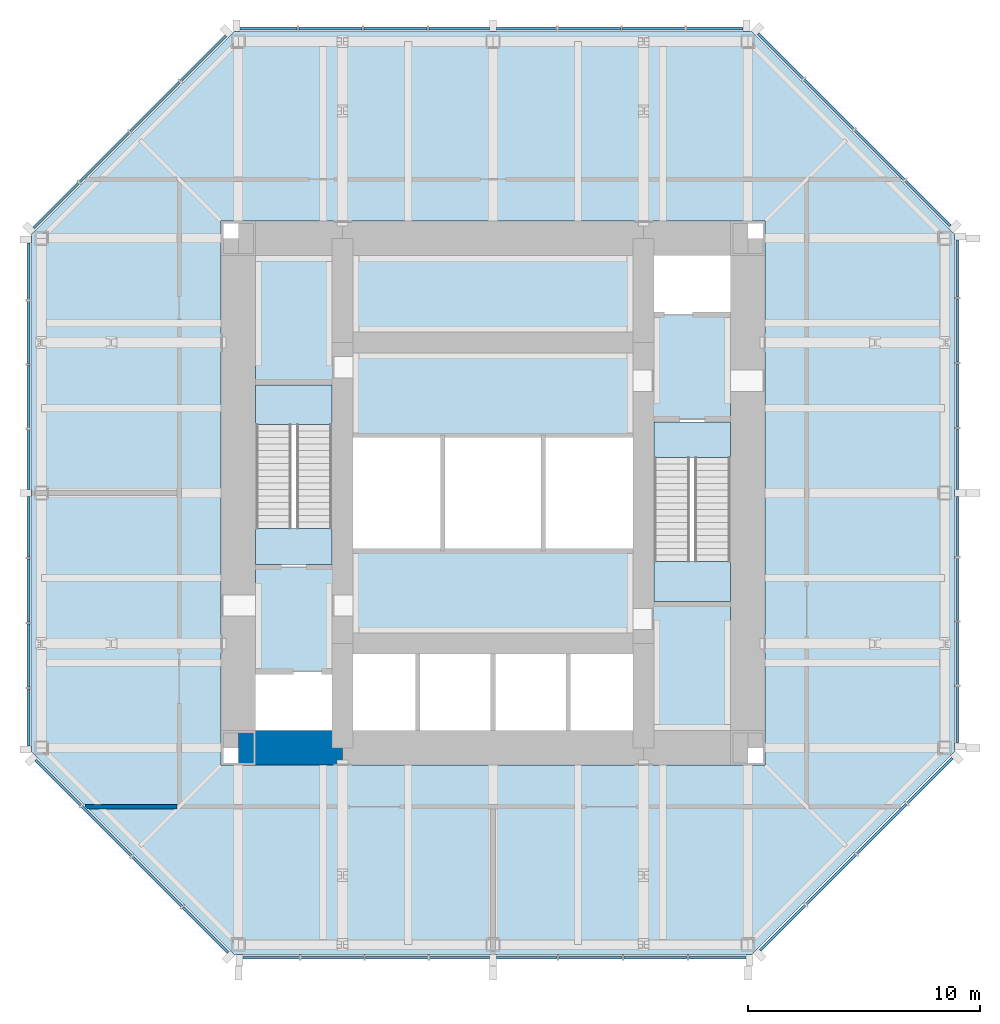
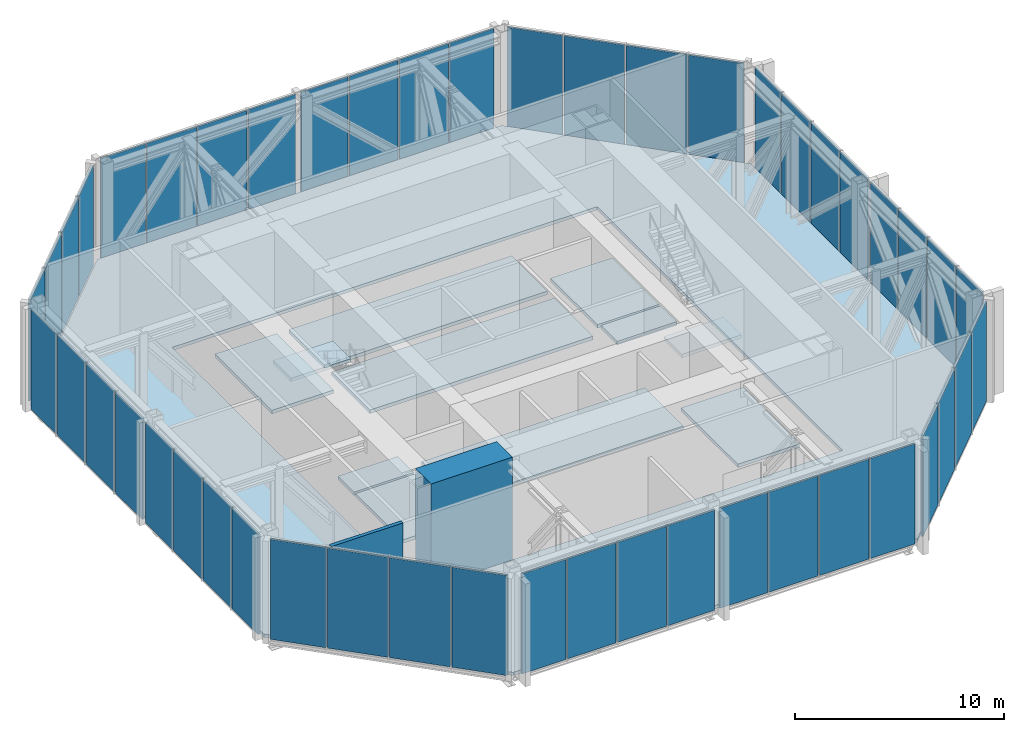
# One storey, part 8 of 11: 48 plates, 12 slabs, 2 walls, 10 elements without a shape of their own.
"""IFC4 building model written with IfcOpenShell, lengths in metres."""

from ifc_helpers import new_model, si_unit, direction, frame, frame_2d, origin, origin_2d, place, context, subcontext, project, spatial, polyline, rectangle, outline, extrude, material, layer, layer_set, type_object, element, aggregate, save


model = new_model("IFC4")

# Units and contexts
model_context = context("Model", 3, precision=1e-05, world=origin(), true_north=direction((0.0, 1.0)))
body_context = subcontext(model_context, "Body", "Model", "MODEL_VIEW")
ifc_project = project(units=[si_unit("LENGTHUNIT", "METRE"), si_unit("AREAUNIT", "SQUARE_METRE"), si_unit("VOLUMEUNIT", "CUBIC_METRE"), si_unit("PLANEANGLEUNIT", "RADIAN"), si_unit("MASSUNIT", "GRAM", prefix="KILO")], contexts=[model_context])

# Site, building, storey
site_placement = place(None, origin())
site = spatial("IfcSite", under=ifc_project, at=site_placement, CompositionType="ELEMENT")
building_placement = place(site_placement, origin())
building = spatial("IfcBuilding", under=site, at=building_placement, Name="Trevanion Tower", CompositionType="ELEMENT")
storey_placement = place(building_placement, frame((0.0, 0.0, 257.199951171875)))
storey = spatial("IfcBuildingStorey", under=building, at=storey_placement, Name="L63", CompositionType="ELEMENT", Elevation=257.199951171875)

# Curtain wall, plates
ifc_material_1 = material(Name="Aluminium louvres", Category="aluminium")
curtain_wall_type = type_object("IfcCurtainWallType", Name="CWL curtain wall", PredefinedType="USERDEFINED", material=ifc_material_1)
curtain_wall_1_placement = place(storey_placement, origin())
curtain_wall_1 = element("IfcCurtainWall", 1, at=curtain_wall_1_placement, inside=storey, type_object=curtain_wall_type, Name="CWL L63 0", ObjectType="LOUVRE SCREEN", PredefinedType="USERDEFINED")
ifc_material_2 = material(Name="Aluminium louvres", Category="aluminium")
ifc_layer_1 = layer(ifc_material_2, 0.10009765625)
ifc_layer_set_1 = layer_set([ifc_layer_1], Name="CWL louvre panel")
plate_type = type_object("IfcPlateType", Name="CWL louvre panel", PredefinedType="CURTAIN_PANEL", material=ifc_layer_set_1)
plate_1_placement = place(storey_placement, frame((20.050048828125, -9.579345703125, -0.114990234375), z_axis=(0.0, 0.0, 1.0), x_axis=(0.0, 1.0, 0.0)))
plate_1 = element("IfcPlate", 2, at=plate_1_placement, type_object=plate_type, Name="CWL panel 1.1", PredefinedType="CURTAIN_PANEL", context=body_context, shape_type="SweptSolid", body=[
    extrude(rectangle(XDim=2.43701171875, YDim=0.10009765625, at=origin_2d()), origin(), (0.0, 0.0, 1.0), 5.85009765625),
])
plate_2_placement = place(storey_placement, frame((20.050048828125, -6.93603515625, -0.114990234375), z_axis=(0.0, 0.0, 1.0), x_axis=(0.0, 1.0, 0.0)))
plate_2 = element("IfcPlate", 3, at=plate_2_placement, type_object=plate_type, Name="CWL panel 2.1", PredefinedType="CURTAIN_PANEL", context=body_context, shape_type="SweptSolid", body=[
    extrude(rectangle(XDim=2.699462890625, YDim=0.10009765625, at=origin_2d()), origin(), (0.0, 0.0, 1.0), 5.85009765625),
])
plate_3_placement = place(storey_placement, frame((20.050048828125, -4.16162109375, -0.114990234375), z_axis=(0.0, 0.0, 1.0), x_axis=(0.0, 1.0, 0.0)))
plate_3 = element("IfcPlate", 4, at=plate_3_placement, type_object=plate_type, Name="CWL panel 3.1", PredefinedType="CURTAIN_PANEL", context=body_context, shape_type="SweptSolid", body=[
    extrude(rectangle(XDim=2.699462890625, YDim=0.10009765625, at=origin_2d()), origin(), (0.0, 0.0, 1.0), 5.85009765625),
])
plate_4_placement = place(storey_placement, frame((20.050048828125, -1.443603515625, -0.114990234375), z_axis=(0.0, 0.0, 1.0), x_axis=(0.0, 1.0, 0.0)))
plate_4 = element("IfcPlate", 5, at=plate_4_placement, type_object=plate_type, Name="CWL panel 4.1", PredefinedType="CURTAIN_PANEL", context=body_context, shape_type="SweptSolid", body=[
    extrude(rectangle(XDim=2.5869140625, YDim=0.10009765625, at=origin_2d()), origin(), (0.0, 0.0, 1.0), 5.85009765625),
])
plate_5_placement = place(storey_placement, frame((20.050048828125, 1.459716796875, -0.114990234375), z_axis=(0.0, 0.0, 1.0), x_axis=(0.0, 1.0, 0.0)))
plate_5 = element("IfcPlate", 6, at=plate_5_placement, type_object=plate_type, Name="CWL panel 5.1", PredefinedType="CURTAIN_PANEL", context=body_context, shape_type="SweptSolid", body=[
    extrude(rectangle(XDim=2.619384765625, YDim=0.10009765625, at=origin_2d()), origin(), (0.0, 0.0, 1.0), 5.85009765625),
])
plate_6_placement = place(storey_placement, frame((20.050048828125, 4.21044921875, -0.114990234375), z_axis=(0.0, 0.0, 1.0), x_axis=(0.0, 1.0, 0.0)))
plate_6 = element("IfcPlate", 7, at=plate_6_placement, type_object=plate_type, Name="CWL panel 6.1", PredefinedType="CURTAIN_PANEL", context=body_context, shape_type="SweptSolid", body=[
    extrude(rectangle(XDim=2.73193359375, YDim=0.10009765625, at=origin_2d()), origin(), (0.0, 0.0, 1.0), 5.85009765625),
])
plate_7_placement = place(storey_placement, frame((20.050048828125, 7.017333984375, -0.114990234375), z_axis=(0.0, 0.0, 1.0), x_axis=(0.0, 1.0, 0.0)))
plate_7 = element("IfcPlate", 8, at=plate_7_placement, type_object=plate_type, Name="CWL panel 7.1", PredefinedType="CURTAIN_PANEL", context=body_context, shape_type="SweptSolid", body=[
    extrude(rectangle(XDim=2.73193359375, YDim=0.10009765625, at=origin_2d()), origin(), (0.0, 0.0, 1.0), 5.85009765625),
])
plate_8_placement = place(storey_placement, frame((20.050048828125, 9.693115234375, -0.114990234375), z_axis=(0.0, 0.0, 1.0), x_axis=(0.0, 1.0, 0.0)))
plate_8 = element("IfcPlate", 9, at=plate_8_placement, type_object=plate_type, Name="CWL panel 8.1", PredefinedType="CURTAIN_PANEL", context=body_context, shape_type="SweptSolid", body=[
    extrude(rectangle(XDim=2.469482421875, YDim=0.10009765625, at=origin_2d()), origin(), (0.0, 0.0, 1.0), 5.85009765625),
])
aggregate(curtain_wall_1, [plate_1, plate_2, plate_3, plate_4, plate_5, plate_6, plate_7, plate_8])

curtain_wall_2_placement = place(storey_placement, origin())
curtain_wall_2 = element("IfcCurtainWall", 10, at=curtain_wall_2_placement, inside=storey, type_object=curtain_wall_type, Name="CWL L63 1", ObjectType="LOUVRE SCREEN", PredefinedType="USERDEFINED")
plate_9_placement = place(storey_placement, frame((18.77392578125, 12.50390625, -0.114990234375), z_axis=(0.0, 0.0, 1.0), x_axis=(-0.707106781187, 0.707106781187, 0.0)))
plate_9 = element("IfcPlate", 11, at=plate_9_placement, type_object=plate_type, Name="CWL panel 1.1", PredefinedType="CURTAIN_PANEL", context=body_context, shape_type="SweptSolid", body=[
    extrude(rectangle(XDim=2.7490234375, YDim=0.10009765625, at=origin_2d()), origin(), (0.0, 0.0, 1.0), 5.85009765625),
])
plate_10_placement = place(storey_placement, frame((16.68408203125, 14.593505859375, -0.114990234375), z_axis=(0.0, 0.0, 1.0), x_axis=(-0.707106781187, 0.707106781187, 0.0)))
plate_10 = element("IfcPlate", 12, at=plate_10_placement, type_object=plate_type, Name="CWL panel 2.1", PredefinedType="CURTAIN_PANEL", context=body_context, shape_type="SweptSolid", body=[
    extrude(rectangle(XDim=3.01171875, YDim=0.10009765625, at=origin_2d()), origin(), (0.0, 0.0, 1.0), 5.85009765625),
])
plate_11_placement = place(storey_placement, frame((14.501708984375, 16.776123046875, -0.114990234375), z_axis=(0.0, 0.0, 1.0), x_axis=(-0.707106781187, 0.707106781187, 0.0)))
plate_11 = element("IfcPlate", 13, at=plate_11_placement, type_object=plate_type, Name="CWL panel 3.1", PredefinedType="CURTAIN_PANEL", context=body_context, shape_type="SweptSolid", body=[
    extrude(rectangle(XDim=3.01171875, YDim=0.10009765625, at=origin_2d()), origin(), (0.0, 0.0, 1.0), 5.85009765625),
])
plate_12_placement = place(storey_placement, frame((12.411865234375, 18.865966796875, -0.114990234375), z_axis=(0.0, 0.0, 1.0), x_axis=(-0.707106781187, 0.707106781187, 0.0)))
plate_12 = element("IfcPlate", 14, at=plate_12_placement, type_object=plate_type, Name="CWL panel 4.1", PredefinedType="CURTAIN_PANEL", context=body_context, shape_type="SweptSolid", body=[
    extrude(rectangle(XDim=2.7490234375, YDim=0.10009765625, at=origin_2d()), origin(), (0.0, 0.0, 1.0), 5.85009765625),
])
aggregate(curtain_wall_2, [plate_9, plate_10, plate_11, plate_12])

curtain_wall_3_placement = place(storey_placement, origin())
curtain_wall_3 = element("IfcCurtainWall", 15, at=curtain_wall_3_placement, inside=storey, type_object=curtain_wall_type, Name="CWL L63 2", ObjectType="LOUVRE SCREEN", PredefinedType="USERDEFINED")
plate_13_placement = place(storey_placement, frame((9.579345703125, 20.050048828125, -0.114990234375), z_axis=(0.0, 0.0, 1.0), x_axis=(-1.0, 0.0, 0.0)))
plate_13 = element("IfcPlate", 16, at=plate_13_placement, type_object=plate_type, Name="CWL panel 1.1", PredefinedType="CURTAIN_PANEL", context=body_context, shape_type="SweptSolid", body=[
    extrude(rectangle(XDim=2.43701171875, YDim=0.10009765625, at=origin_2d()), origin(), (0.0, 0.0, 1.0), 5.85009765625),
])
plate_14_placement = place(storey_placement, frame((6.93603515625, 20.050048828125, -0.114990234375), z_axis=(0.0, 0.0, 1.0), x_axis=(-1.0, 0.0, 0.0)))
plate_14 = element("IfcPlate", 17, at=plate_14_placement, type_object=plate_type, Name="CWL panel 2.1", PredefinedType="CURTAIN_PANEL", context=body_context, shape_type="SweptSolid", body=[
    extrude(rectangle(XDim=2.699462890625, YDim=0.10009765625, at=origin_2d()), origin(), (0.0, 0.0, 1.0), 5.85009765625),
])
plate_15_placement = place(storey_placement, frame((4.16162109375, 20.050048828125, -0.114990234375), z_axis=(0.0, 0.0, 1.0), x_axis=(-1.0, 0.0, 0.0)))
plate_15 = element("IfcPlate", 18, at=plate_15_placement, type_object=plate_type, Name="CWL panel 3.1", PredefinedType="CURTAIN_PANEL", context=body_context, shape_type="SweptSolid", body=[
    extrude(rectangle(XDim=2.699462890625, YDim=0.10009765625, at=origin_2d()), origin(), (0.0, 0.0, 1.0), 5.85009765625),
])
plate_16_placement = place(storey_placement, frame((1.443603515625, 20.050048828125, -0.114990234375), z_axis=(0.0, 0.0, 1.0), x_axis=(-1.0, 0.0, 0.0)))
plate_16 = element("IfcPlate", 19, at=plate_16_placement, type_object=plate_type, Name="CWL panel 4.1", PredefinedType="CURTAIN_PANEL", context=body_context, shape_type="SweptSolid", body=[
    extrude(rectangle(XDim=2.5869140625, YDim=0.10009765625, at=origin_2d()), origin(), (0.0, 0.0, 1.0), 5.85009765625),
])
plate_17_placement = place(storey_placement, frame((-1.459716796875, 20.050048828125, -0.114990234375), z_axis=(0.0, 0.0, 1.0), x_axis=(-1.0, 0.0, 0.0)))
plate_17 = element("IfcPlate", 20, at=plate_17_placement, type_object=plate_type, Name="CWL panel 5.1", PredefinedType="CURTAIN_PANEL", context=body_context, shape_type="SweptSolid", body=[
    extrude(rectangle(XDim=2.619384765625, YDim=0.10009765625, at=origin_2d()), origin(), (0.0, 0.0, 1.0), 5.85009765625),
])
plate_18_placement = place(storey_placement, frame((-4.21044921875, 20.050048828125, -0.114990234375), z_axis=(0.0, 0.0, 1.0), x_axis=(-1.0, 0.0, 0.0)))
plate_18 = element("IfcPlate", 21, at=plate_18_placement, type_object=plate_type, Name="CWL panel 6.1", PredefinedType="CURTAIN_PANEL", context=body_context, shape_type="SweptSolid", body=[
    extrude(rectangle(XDim=2.73193359375, YDim=0.10009765625, at=origin_2d()), origin(), (0.0, 0.0, 1.0), 5.85009765625),
])
plate_19_placement = place(storey_placement, frame((-7.017333984375, 20.050048828125, -0.114990234375), z_axis=(0.0, 0.0, 1.0), x_axis=(-1.0, 0.0, 0.0)))
plate_19 = element("IfcPlate", 22, at=plate_19_placement, type_object=plate_type, Name="CWL panel 7.1", PredefinedType="CURTAIN_PANEL", context=body_context, shape_type="SweptSolid", body=[
    extrude(rectangle(XDim=2.73193359375, YDim=0.10009765625, at=origin_2d()), origin(), (0.0, 0.0, 1.0), 5.85009765625),
])
plate_20_placement = place(storey_placement, frame((-9.693115234375, 20.050048828125, -0.114990234375), z_axis=(0.0, 0.0, 1.0), x_axis=(-1.0, 0.0, 0.0)))
plate_20 = element("IfcPlate", 23, at=plate_20_placement, type_object=plate_type, Name="CWL panel 8.1", PredefinedType="CURTAIN_PANEL", context=body_context, shape_type="SweptSolid", body=[
    extrude(rectangle(XDim=2.469482421875, YDim=0.10009765625, at=origin_2d()), origin(), (0.0, 0.0, 1.0), 5.85009765625),
])
aggregate(curtain_wall_3, [plate_13, plate_14, plate_15, plate_16, plate_17, plate_18, plate_19, plate_20])

curtain_wall_4_placement = place(storey_placement, origin())
curtain_wall_4 = element("IfcCurtainWall", 24, at=curtain_wall_4_placement, inside=storey, type_object=curtain_wall_type, Name="CWL L63 3", ObjectType="LOUVRE SCREEN", PredefinedType="USERDEFINED")
plate_21_placement = place(storey_placement, frame((-12.50390625, 18.77392578125, -0.114990234375), z_axis=(0.0, 0.0, 1.0), x_axis=(-0.707106781187, -0.707106781187, 0.0)))
plate_21 = element("IfcPlate", 25, at=plate_21_placement, type_object=plate_type, Name="CWL panel 1.1", PredefinedType="CURTAIN_PANEL", context=body_context, shape_type="SweptSolid", body=[
    extrude(rectangle(XDim=2.7490234375, YDim=0.10009765625, at=origin_2d()), origin(), (0.0, 0.0, 1.0), 5.85009765625),
])
plate_22_placement = place(storey_placement, frame((-14.593505859375, 16.68408203125, -0.114990234375), z_axis=(0.0, 0.0, 1.0), x_axis=(-0.707106781187, -0.707106781187, 0.0)))
plate_22 = element("IfcPlate", 26, at=plate_22_placement, type_object=plate_type, Name="CWL panel 2.1", PredefinedType="CURTAIN_PANEL", context=body_context, shape_type="SweptSolid", body=[
    extrude(rectangle(XDim=3.01171875, YDim=0.10009765625, at=origin_2d()), origin(), (0.0, 0.0, 1.0), 5.85009765625),
])
plate_23_placement = place(storey_placement, frame((-16.776123046875, 14.501708984375, -0.114990234375), z_axis=(0.0, 0.0, 1.0), x_axis=(-0.707106781187, -0.707106781187, 0.0)))
plate_23 = element("IfcPlate", 27, at=plate_23_placement, type_object=plate_type, Name="CWL panel 3.1", PredefinedType="CURTAIN_PANEL", context=body_context, shape_type="SweptSolid", body=[
    extrude(rectangle(XDim=3.01171875, YDim=0.10009765625, at=origin_2d()), origin(), (0.0, 0.0, 1.0), 5.85009765625),
])
plate_24_placement = place(storey_placement, frame((-18.865966796875, 12.411865234375, -0.114990234375), z_axis=(0.0, 0.0, 1.0), x_axis=(-0.707106781187, -0.707106781187, 0.0)))
plate_24 = element("IfcPlate", 28, at=plate_24_placement, type_object=plate_type, Name="CWL panel 4.1", PredefinedType="CURTAIN_PANEL", context=body_context, shape_type="SweptSolid", body=[
    extrude(rectangle(XDim=2.7490234375, YDim=0.10009765625, at=origin_2d()), origin(), (0.0, 0.0, 1.0), 5.85009765625),
])
aggregate(curtain_wall_4, [plate_21, plate_22, plate_23, plate_24])

curtain_wall_5_placement = place(storey_placement, origin())
curtain_wall_5 = element("IfcCurtainWall", 29, at=curtain_wall_5_placement, inside=storey, type_object=curtain_wall_type, Name="CWL L63 4", ObjectType="LOUVRE SCREEN", PredefinedType="USERDEFINED")
plate_25_placement = place(storey_placement, frame((-20.050048828125, 9.579345703125, -0.114990234375), z_axis=(0.0, 0.0, 1.0), x_axis=(0.0, -1.0, 0.0)))
plate_25 = element("IfcPlate", 30, at=plate_25_placement, type_object=plate_type, Name="CWL panel 1.1", PredefinedType="CURTAIN_PANEL", context=body_context, shape_type="SweptSolid", body=[
    extrude(rectangle(XDim=2.43701171875, YDim=0.10009765625, at=origin_2d()), origin(), (0.0, 0.0, 1.0), 5.85009765625),
])
plate_26_placement = place(storey_placement, frame((-20.050048828125, 6.93603515625, -0.114990234375), z_axis=(0.0, 0.0, 1.0), x_axis=(0.0, -1.0, 0.0)))
plate_26 = element("IfcPlate", 31, at=plate_26_placement, type_object=plate_type, Name="CWL panel 2.1", PredefinedType="CURTAIN_PANEL", context=body_context, shape_type="SweptSolid", body=[
    extrude(rectangle(XDim=2.699462890625, YDim=0.10009765625, at=origin_2d()), origin(), (0.0, 0.0, 1.0), 5.85009765625),
])
plate_27_placement = place(storey_placement, frame((-20.050048828125, 4.16162109375, -0.114990234375), z_axis=(0.0, 0.0, 1.0), x_axis=(0.0, -1.0, 0.0)))
plate_27 = element("IfcPlate", 32, at=plate_27_placement, type_object=plate_type, Name="CWL panel 3.1", PredefinedType="CURTAIN_PANEL", context=body_context, shape_type="SweptSolid", body=[
    extrude(rectangle(XDim=2.699462890625, YDim=0.10009765625, at=origin_2d()), origin(), (0.0, 0.0, 1.0), 5.85009765625),
])
plate_28_placement = place(storey_placement, frame((-20.050048828125, 1.443603515625, -0.114990234375), z_axis=(0.0, 0.0, 1.0), x_axis=(0.0, -1.0, 0.0)))
plate_28 = element("IfcPlate", 33, at=plate_28_placement, type_object=plate_type, Name="CWL panel 4.1", PredefinedType="CURTAIN_PANEL", context=body_context, shape_type="SweptSolid", body=[
    extrude(rectangle(XDim=2.5869140625, YDim=0.10009765625, at=origin_2d()), origin(), (0.0, 0.0, 1.0), 5.85009765625),
])
plate_29_placement = place(storey_placement, frame((-20.050048828125, -1.459716796875, -0.114990234375), z_axis=(0.0, 0.0, 1.0), x_axis=(0.0, -1.0, 0.0)))
plate_29 = element("IfcPlate", 34, at=plate_29_placement, type_object=plate_type, Name="CWL panel 5.1", PredefinedType="CURTAIN_PANEL", context=body_context, shape_type="SweptSolid", body=[
    extrude(rectangle(XDim=2.619384765625, YDim=0.10009765625, at=origin_2d()), origin(), (0.0, 0.0, 1.0), 5.85009765625),
])
plate_30_placement = place(storey_placement, frame((-20.050048828125, -4.21044921875, -0.114990234375), z_axis=(0.0, 0.0, 1.0), x_axis=(0.0, -1.0, 0.0)))
plate_30 = element("IfcPlate", 35, at=plate_30_placement, type_object=plate_type, Name="CWL panel 6.1", PredefinedType="CURTAIN_PANEL", context=body_context, shape_type="SweptSolid", body=[
    extrude(rectangle(XDim=2.73193359375, YDim=0.10009765625, at=origin_2d()), origin(), (0.0, 0.0, 1.0), 5.85009765625),
])
plate_31_placement = place(storey_placement, frame((-20.050048828125, -7.017333984375, -0.114990234375), z_axis=(0.0, 0.0, 1.0), x_axis=(0.0, -1.0, 0.0)))
plate_31 = element("IfcPlate", 36, at=plate_31_placement, type_object=plate_type, Name="CWL panel 7.1", PredefinedType="CURTAIN_PANEL", context=body_context, shape_type="SweptSolid", body=[
    extrude(rectangle(XDim=2.73193359375, YDim=0.10009765625, at=origin_2d()), origin(), (0.0, 0.0, 1.0), 5.85009765625),
])
plate_32_placement = place(storey_placement, frame((-20.050048828125, -9.693115234375, -0.114990234375), z_axis=(0.0, 0.0, 1.0), x_axis=(0.0, -1.0, 0.0)))
plate_32 = element("IfcPlate", 37, at=plate_32_placement, type_object=plate_type, Name="CWL panel 8.1", PredefinedType="CURTAIN_PANEL", context=body_context, shape_type="SweptSolid", body=[
    extrude(rectangle(XDim=2.469482421875, YDim=0.10009765625, at=origin_2d()), origin(), (0.0, 0.0, 1.0), 5.85009765625),
])
aggregate(curtain_wall_5, [plate_25, plate_26, plate_27, plate_28, plate_29, plate_30, plate_31, plate_32])

curtain_wall_6_placement = place(storey_placement, origin())
curtain_wall_6 = element("IfcCurtainWall", 38, at=curtain_wall_6_placement, inside=storey, type_object=curtain_wall_type, Name="CWL L63 5", ObjectType="LOUVRE SCREEN", PredefinedType="USERDEFINED")
plate_33_placement = place(storey_placement, frame((-18.77392578125, -12.50390625, -0.114990234375), z_axis=(0.0, 0.0, 1.0), x_axis=(0.707106781187, -0.707106781187, 0.0)))
plate_33 = element("IfcPlate", 39, at=plate_33_placement, type_object=plate_type, Name="CWL panel 1.1", PredefinedType="CURTAIN_PANEL", context=body_context, shape_type="SweptSolid", body=[
    extrude(rectangle(XDim=2.7490234375, YDim=0.10009765625, at=origin_2d()), origin(), (0.0, 0.0, 1.0), 5.85009765625),
])
plate_34_placement = place(storey_placement, frame((-16.68408203125, -14.593505859375, -0.114990234375), z_axis=(0.0, 0.0, 1.0), x_axis=(0.707106781187, -0.707106781187, 0.0)))
plate_34 = element("IfcPlate", 40, at=plate_34_placement, type_object=plate_type, Name="CWL panel 2.1", PredefinedType="CURTAIN_PANEL", context=body_context, shape_type="SweptSolid", body=[
    extrude(rectangle(XDim=3.01171875, YDim=0.10009765625, at=origin_2d()), origin(), (0.0, 0.0, 1.0), 5.85009765625),
])
plate_35_placement = place(storey_placement, frame((-14.501708984375, -16.776123046875, -0.114990234375), z_axis=(0.0, 0.0, 1.0), x_axis=(0.707106781187, -0.707106781187, 0.0)))
plate_35 = element("IfcPlate", 41, at=plate_35_placement, type_object=plate_type, Name="CWL panel 3.1", PredefinedType="CURTAIN_PANEL", context=body_context, shape_type="SweptSolid", body=[
    extrude(rectangle(XDim=3.01171875, YDim=0.10009765625, at=origin_2d()), origin(), (0.0, 0.0, 1.0), 5.85009765625),
])
plate_36_placement = place(storey_placement, frame((-12.411865234375, -18.865966796875, -0.114990234375), z_axis=(0.0, 0.0, 1.0), x_axis=(0.707106781187, -0.707106781187, 0.0)))
plate_36 = element("IfcPlate", 42, at=plate_36_placement, type_object=plate_type, Name="CWL panel 4.1", PredefinedType="CURTAIN_PANEL", context=body_context, shape_type="SweptSolid", body=[
    extrude(rectangle(XDim=2.7490234375, YDim=0.10009765625, at=origin_2d()), origin(), (0.0, 0.0, 1.0), 5.85009765625),
])
aggregate(curtain_wall_6, [plate_33, plate_34, plate_35, plate_36])

curtain_wall_7_placement = place(storey_placement, origin())
curtain_wall_7 = element("IfcCurtainWall", 43, at=curtain_wall_7_placement, inside=storey, type_object=curtain_wall_type, Name="CWL L63 6", ObjectType="LOUVRE SCREEN", PredefinedType="USERDEFINED")
plate_37_placement = place(storey_placement, frame((-9.579345703125, -20.050048828125, -0.114990234375), z_axis=(0.0, 0.0, 1.0), x_axis=(1.0, 0.0, 0.0)))
plate_37 = element("IfcPlate", 44, at=plate_37_placement, type_object=plate_type, Name="CWL panel 1.1", PredefinedType="CURTAIN_PANEL", context=body_context, shape_type="SweptSolid", body=[
    extrude(rectangle(XDim=2.43701171875, YDim=0.10009765625, at=origin_2d()), origin(), (0.0, 0.0, 1.0), 5.85009765625),
])
plate_38_placement = place(storey_placement, frame((-6.93603515625, -20.050048828125, -0.114990234375), z_axis=(0.0, 0.0, 1.0), x_axis=(1.0, 0.0, 0.0)))
plate_38 = element("IfcPlate", 45, at=plate_38_placement, type_object=plate_type, Name="CWL panel 2.1", PredefinedType="CURTAIN_PANEL", context=body_context, shape_type="SweptSolid", body=[
    extrude(rectangle(XDim=2.699462890625, YDim=0.10009765625, at=origin_2d()), origin(), (0.0, 0.0, 1.0), 5.85009765625),
])
plate_39_placement = place(storey_placement, frame((-4.16162109375, -20.050048828125, -0.114990234375), z_axis=(0.0, 0.0, 1.0), x_axis=(1.0, 0.0, 0.0)))
plate_39 = element("IfcPlate", 46, at=plate_39_placement, type_object=plate_type, Name="CWL panel 3.1", PredefinedType="CURTAIN_PANEL", context=body_context, shape_type="SweptSolid", body=[
    extrude(rectangle(XDim=2.699462890625, YDim=0.10009765625, at=origin_2d()), origin(), (0.0, 0.0, 1.0), 5.85009765625),
])
plate_40_placement = place(storey_placement, frame((-1.443603515625, -20.050048828125, -0.114990234375), z_axis=(0.0, 0.0, 1.0), x_axis=(1.0, 0.0, 0.0)))
plate_40 = element("IfcPlate", 47, at=plate_40_placement, type_object=plate_type, Name="CWL panel 4.1", PredefinedType="CURTAIN_PANEL", context=body_context, shape_type="SweptSolid", body=[
    extrude(rectangle(XDim=2.5869140625, YDim=0.10009765625, at=origin_2d()), origin(), (0.0, 0.0, 1.0), 5.85009765625),
])
plate_41_placement = place(storey_placement, frame((1.459716796875, -20.050048828125, -0.114990234375), z_axis=(0.0, 0.0, 1.0), x_axis=(1.0, 0.0, 0.0)))
plate_41 = element("IfcPlate", 48, at=plate_41_placement, type_object=plate_type, Name="CWL panel 5.1", PredefinedType="CURTAIN_PANEL", context=body_context, shape_type="SweptSolid", body=[
    extrude(rectangle(XDim=2.619384765625, YDim=0.10009765625, at=origin_2d()), origin(), (0.0, 0.0, 1.0), 5.85009765625),
])
plate_42_placement = place(storey_placement, frame((4.21044921875, -20.050048828125, -0.114990234375), z_axis=(0.0, 0.0, 1.0), x_axis=(1.0, 0.0, 0.0)))
plate_42 = element("IfcPlate", 49, at=plate_42_placement, type_object=plate_type, Name="CWL panel 6.1", PredefinedType="CURTAIN_PANEL", context=body_context, shape_type="SweptSolid", body=[
    extrude(rectangle(XDim=2.73193359375, YDim=0.10009765625, at=origin_2d()), origin(), (0.0, 0.0, 1.0), 5.85009765625),
])
plate_43_placement = place(storey_placement, frame((7.017333984375, -20.050048828125, -0.114990234375), z_axis=(0.0, 0.0, 1.0), x_axis=(1.0, 0.0, 0.0)))
plate_43 = element("IfcPlate", 50, at=plate_43_placement, type_object=plate_type, Name="CWL panel 7.1", PredefinedType="CURTAIN_PANEL", context=body_context, shape_type="SweptSolid", body=[
    extrude(rectangle(XDim=2.73193359375, YDim=0.10009765625, at=origin_2d()), origin(), (0.0, 0.0, 1.0), 5.85009765625),
])
plate_44_placement = place(storey_placement, frame((9.693115234375, -20.050048828125, -0.114990234375), z_axis=(0.0, 0.0, 1.0), x_axis=(1.0, 0.0, 0.0)))
plate_44 = element("IfcPlate", 51, at=plate_44_placement, type_object=plate_type, Name="CWL panel 8.1", PredefinedType="CURTAIN_PANEL", context=body_context, shape_type="SweptSolid", body=[
    extrude(rectangle(XDim=2.469482421875, YDim=0.10009765625, at=origin_2d()), origin(), (0.0, 0.0, 1.0), 5.85009765625),
])
aggregate(curtain_wall_7, [plate_37, plate_38, plate_39, plate_40, plate_41, plate_42, plate_43, plate_44])

curtain_wall_8_placement = place(storey_placement, origin())
curtain_wall_8 = element("IfcCurtainWall", 52, at=curtain_wall_8_placement, inside=storey, type_object=curtain_wall_type, Name="CWL L63 7", ObjectType="LOUVRE SCREEN", PredefinedType="USERDEFINED")
plate_45_placement = place(storey_placement, frame((12.50390625, -18.77392578125, -0.114990234375), z_axis=(0.0, 0.0, 1.0), x_axis=(0.707106781187, 0.707106781187, 0.0)))
plate_45 = element("IfcPlate", 53, at=plate_45_placement, type_object=plate_type, Name="CWL panel 1.1", PredefinedType="CURTAIN_PANEL", context=body_context, shape_type="SweptSolid", body=[
    extrude(rectangle(XDim=2.7490234375, YDim=0.10009765625, at=origin_2d()), origin(), (0.0, 0.0, 1.0), 5.85009765625),
])
plate_46_placement = place(storey_placement, frame((14.593505859375, -16.68408203125, -0.114990234375), z_axis=(0.0, 0.0, 1.0), x_axis=(0.707106781187, 0.707106781187, 0.0)))
plate_46 = element("IfcPlate", 54, at=plate_46_placement, type_object=plate_type, Name="CWL panel 2.1", PredefinedType="CURTAIN_PANEL", context=body_context, shape_type="SweptSolid", body=[
    extrude(rectangle(XDim=3.01171875, YDim=0.10009765625, at=origin_2d()), origin(), (0.0, 0.0, 1.0), 5.85009765625),
])
plate_47_placement = place(storey_placement, frame((16.776123046875, -14.501708984375, -0.114990234375), z_axis=(0.0, 0.0, 1.0), x_axis=(0.707106781187, 0.707106781187, 0.0)))
plate_47 = element("IfcPlate", 55, at=plate_47_placement, type_object=plate_type, Name="CWL panel 3.1", PredefinedType="CURTAIN_PANEL", context=body_context, shape_type="SweptSolid", body=[
    extrude(rectangle(XDim=3.01171875, YDim=0.10009765625, at=origin_2d()), origin(), (0.0, 0.0, 1.0), 5.85009765625),
])
plate_48_placement = place(storey_placement, frame((18.865966796875, -12.411865234375, -0.114990234375), z_axis=(0.0, 0.0, 1.0), x_axis=(0.707106781187, 0.707106781187, 0.0)))
plate_48 = element("IfcPlate", 56, at=plate_48_placement, type_object=plate_type, Name="CWL panel 4.1", PredefinedType="CURTAIN_PANEL", context=body_context, shape_type="SweptSolid", body=[
    extrude(rectangle(XDim=2.7490234375, YDim=0.10009765625, at=origin_2d()), origin(), (0.0, 0.0, 1.0), 5.85009765625),
])
aggregate(curtain_wall_8, [plate_45, plate_46, plate_47, plate_48])

# Slabs
ifc_material_3 = material(Name="Concrete 5,000 psi on composite metal deck", Category="concrete")
ifc_layer_2 = layer(ifc_material_3, 0.18994140625)
ifc_layer_set_2 = layer_set([ifc_layer_2], Name="SL1 composite floor 190")
slab_type_1 = type_object("IfcSlabType", Name="SL1 composite floor 190", PredefinedType="FLOOR", material=ifc_layer_set_2)
slab_1_placement = place(storey_placement, frame((0.0, 0.0, -0.18994140625)))
element("IfcSlab", 57, at=slab_1_placement, inside=storey, type_object=slab_type_1, Name="SL1 L63 floor", PredefinedType="FLOOR", context=body_context, shape_type="SweptSolid", body=[
    extrude(outline(polyline([(19.919921875, -11.174072265625), (19.919921875, 11.174072265625), (11.174072265625, 19.919921875), (-11.174072265625, 19.919921875), (-19.919921875, 11.174072265625), (-19.919921875, -11.174072265625), (-11.174072265625, -19.919921875), (11.174072265625, -19.919921875), (19.919921875, -11.174072265625)]), holes=[polyline([(11.75, -11.75), (11.75, 11.75), (-11.75, 11.75), (-11.75, -11.75), (11.75, -11.75)])]), origin(), (0.0, 0.0, 1.0), 0.18994140625),
])
ifc_material_4 = material(Name="Concrete 5,000 psi", Category="concrete")
ifc_layer_3 = layer(ifc_material_4, 0.199951171875)
ifc_layer_set_3 = layer_set([ifc_layer_3], Name="SL2 core floor 200")
slab_type_2 = type_object("IfcSlabType", Name="SL2 core floor 200", PredefinedType="FLOOR", material=ifc_layer_set_3)
slab_2_placement = place(storey_placement, frame((0.0, 0.0, -0.199951171875)))
element("IfcSlab", 58, at=slab_2_placement, inside=storey, type_object=slab_type_2, Name="SL2 L63 core floor 1", PredefinedType="FLOOR", context=body_context, shape_type="SweptSolid", body=[
    extrude(outline(polyline([(10.25, -4.804931640625), (10.25, -10.25), (6.830078125, -10.25), (6.830078125, -4.804931640625), (10.25, -4.804931640625)])), origin(), (0.0, 0.0, 1.0), 0.199951171875),
])
slab_3_placement = place(storey_placement, frame((0.0, 0.0, -0.199951171875)))
element("IfcSlab", 59, at=slab_3_placement, inside=storey, type_object=slab_type_2, Name="SL2 L63 core floor 2", PredefinedType="FLOOR", context=body_context, shape_type="SweptSolid", body=[
    extrude(outline(polyline([(-6.830078125, -3.205078125), (-6.830078125, -7.695068359375), (-10.25, -7.695068359375), (-10.25, -3.205078125), (-6.830078125, -3.205078125)])), origin(), (0.0, 0.0, 1.0), 0.199951171875),
])
slab_4_placement = place(storey_placement, frame((0.0, 0.0, -0.199951171875)))
element("IfcSlab", 60, at=slab_4_placement, inside=storey, type_object=slab_type_2, Name="SL2 L63 core floor 3", PredefinedType="FLOOR", context=body_context, shape_type="SweptSolid", body=[
    extrude(outline(polyline([(6.169921875, -6.169921875), (-6.169921875, -6.169921875), (-6.169921875, -2.47998046875), (6.169921875, -2.47998046875), (6.169921875, -6.169921875)])), origin(), (0.0, 0.0, 1.0), 0.199951171875),
])
slab_5_placement = place(storey_placement, frame((0.0, 0.0, -0.199951171875)))
element("IfcSlab", 61, at=slab_5_placement, inside=storey, type_object=slab_type_2, Name="SL2 L63 core floor 4", PredefinedType="FLOOR", context=body_context, shape_type="SweptSolid", body=[
    extrude(outline(polyline([(6.169921875, 2.47998046875), (-6.169921875, 2.47998046875), (-6.169921875, 6.169921875), (6.169921875, 6.169921875), (6.169921875, 2.47998046875)])), origin(), (0.0, 0.0, 1.0), 0.199951171875),
])
slab_6_placement = place(storey_placement, frame((0.0, 0.0, -0.199951171875)))
element("IfcSlab", 62, at=slab_6_placement, inside=storey, type_object=slab_type_2, Name="SL2 L63 core floor 5", PredefinedType="FLOOR", context=body_context, shape_type="SweptSolid", body=[
    extrude(outline(polyline([(6.830078125, 3.205078125), (6.830078125, 7.695068359375), (10.25, 7.695068359375), (10.25, 3.205078125), (6.830078125, 3.205078125)])), origin(), (0.0, 0.0, 1.0), 0.199951171875),
])
slab_7_placement = place(storey_placement, frame((0.0, 0.0, -0.199951171875)))
element("IfcSlab", 63, at=slab_7_placement, inside=storey, type_object=slab_type_2, Name="SL2 L63 core floor 6", PredefinedType="FLOOR", context=body_context, shape_type="SweptSolid", body=[
    extrude(outline(polyline([(-6.830078125, 4.804931640625), (-10.25, 4.804931640625), (-10.25, 10.25), (-6.830078125, 10.25), (-6.830078125, 4.804931640625)])), origin(), (0.0, 0.0, 1.0), 0.199951171875),
])
slab_8_placement = place(storey_placement, frame((0.0, 0.0, -0.199951171875)))
element("IfcSlab", 64, at=slab_8_placement, inside=storey, type_object=slab_type_2, Name="SL2 L63 core floor 7", PredefinedType="FLOOR", context=body_context, shape_type="SweptSolid", body=[
    extrude(outline(polyline([(6.169921875, 6.830078125), (-6.169921875, 6.830078125), (-6.169921875, 10.25), (6.169921875, 10.25), (6.169921875, 6.830078125)])), origin(), (0.0, 0.0, 1.0), 0.199951171875),
])

# Stair, slabs
ifc_material_5 = material(Name="Concrete 5,000 psi on steel stringers", Category="concrete")
stair_type = type_object("IfcStairType", Name="ST stair", PredefinedType="HALF_TURN_STAIR", material=ifc_material_5)
stair_1_placement = place(storey_placement, origin())
stair_1 = element("IfcStair", 65, at=stair_1_placement, inside=storey, type_object=stair_type, Name="ST1 L63", PredefinedType="HALF_TURN_STAIR")
ifc_material_6 = material(Name="Concrete 5,000 psi in steel pan", Category="concrete")
ifc_layer_4 = layer(ifc_material_6, 0.199951171875)
ifc_layer_set_4 = layer_set([ifc_layer_4], Name="STL stair landing 200")
slab_type_3 = type_object("IfcSlabType", Name="STL stair landing 200", PredefinedType="LANDING", material=ifc_layer_set_4)
slab_9_placement = place(storey_placement, frame((0.0, 0.0, -0.199951171875)))
slab_9 = element("IfcSlab", 66, at=slab_9_placement, type_object=slab_type_3, Name="ST1 landing 1", PredefinedType="LANDING", context=body_context, shape_type="SweptSolid", body=[
    extrude(outline(polyline([(6.949951171875, 1.52490234375), (10.25, 1.52490234375), (10.25, 3.074951171875), (6.949951171875, 3.074951171875), (6.949951171875, 1.52490234375)])), origin(), (0.0, 0.0, 1.0), 0.199951171875),
])
slab_10_placement = place(storey_placement, frame((0.0, 0.0, 2.800048828125)))
slab_10 = element("IfcSlab", 67, at=slab_10_placement, type_object=slab_type_3, Name="ST1 landing 2", PredefinedType="LANDING", context=body_context, shape_type="SweptSolid", body=[
    extrude(outline(polyline([(6.949951171875, -4.675048828125), (10.25, -4.675048828125), (10.25, -2.955078125), (6.949951171875, -2.955078125), (6.949951171875, -4.675048828125)])), origin(), (0.0, 0.0, 1.0), 0.199951171875),
])
aggregate(stair_1, [slab_9, slab_10])

stair_2_placement = place(storey_placement, origin())
stair_2 = element("IfcStair", 68, at=stair_2_placement, inside=storey, type_object=stair_type, Name="ST2 L63", PredefinedType="HALF_TURN_STAIR")
slab_11_placement = place(storey_placement, frame((0.0, 0.0, -0.199951171875)))
slab_11 = element("IfcSlab", 69, at=slab_11_placement, type_object=slab_type_3, Name="ST2 landing 1", PredefinedType="LANDING", context=body_context, shape_type="SweptSolid", body=[
    extrude(outline(polyline([(-6.949951171875, -1.52490234375), (-10.25, -1.52490234375), (-10.25, -3.074951171875), (-6.949951171875, -3.074951171875), (-6.949951171875, -1.52490234375)])), origin(), (0.0, 0.0, 1.0), 0.199951171875),
])
slab_12_placement = place(storey_placement, frame((0.0, 0.0, 2.800048828125)))
slab_12 = element("IfcSlab", 70, at=slab_12_placement, type_object=slab_type_3, Name="ST2 landing 2", PredefinedType="LANDING", context=body_context, shape_type="SweptSolid", body=[
    extrude(outline(polyline([(-6.949951171875, 4.675048828125), (-10.25, 4.675048828125), (-10.25, 2.955078125), (-6.949951171875, 2.955078125), (-6.949951171875, 4.675048828125)])), origin(), (0.0, 0.0, 1.0), 0.199951171875),
])
aggregate(stair_2, [slab_11, slab_12])

# Walls
ifc_material_7 = material(Name="Concrete 10,000 psi", Category="concrete")
ifc_layer_5 = layer(ifc_material_7, 1.5)
ifc_layer_set_5 = layer_set([ifc_layer_5], Name="CW1 core wall 1500")
wall_type_1 = type_object("IfcWallType", Name="CW1 core wall 1500", PredefinedType="SHEAR", material=ifc_layer_set_5)
wall_1_placement = place(storey_placement, frame((-11.0, -11.0, 0.0), z_axis=(0.0, 0.0, 1.0), x_axis=(1.0, 0.0, 0.0)))
element("IfcWall", 71, at=wall_1_placement, inside=storey, type_object=wall_type_1, Name="CW1 CS1 L63", PredefinedType="SHEAR", context=body_context, shape_type="SweptSolid", body=[
    extrude(rectangle(XDim=4.5, YDim=1.5, at=frame_2d((2.25, 0.0))), origin(), (0.0, 0.0, 1.0), 6.0),
])
ifc_material_8 = material(Name="Concrete masonry, grouted", Category="masonry")
ifc_layer_6 = layer(ifc_material_8, 0.199951171875)
ifc_layer_set_6 = layer_set([ifc_layer_6], Name="PT2 partition 200 2 HR")
wall_type_2 = type_object("IfcWallType", Name="PT2 partition 200 2 HR", PredefinedType="PARTITIONING", material=ifc_layer_set_6)
wall_2_placement = place(storey_placement, frame((-13.64990234375, -13.550048828125, 0.0), z_axis=(0.0, 0.0, 1.0), x_axis=(-1.0, 0.0, 0.0)))
element("IfcWall", 72, at=wall_2_placement, inside=storey, type_object=wall_type_2, Name="PT2 L63 PBSW", PredefinedType="PARTITIONING", context=body_context, shape_type="SweptSolid", body=[
    extrude(rectangle(XDim=3.963134765625, YDim=0.199951171875, at=frame_2d((1.9814453125, 0.0))), origin(), (0.0, 0.0, 1.0), 5.81005859375),
])

save(model, "model.ifc")
